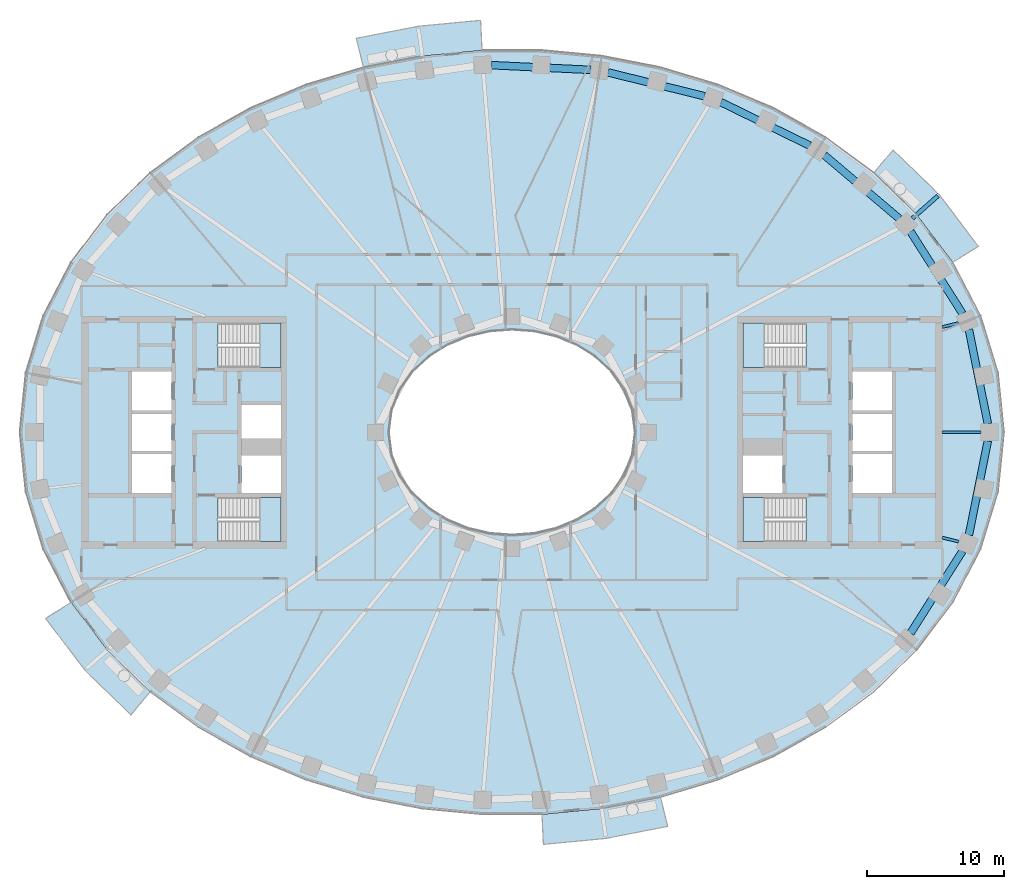
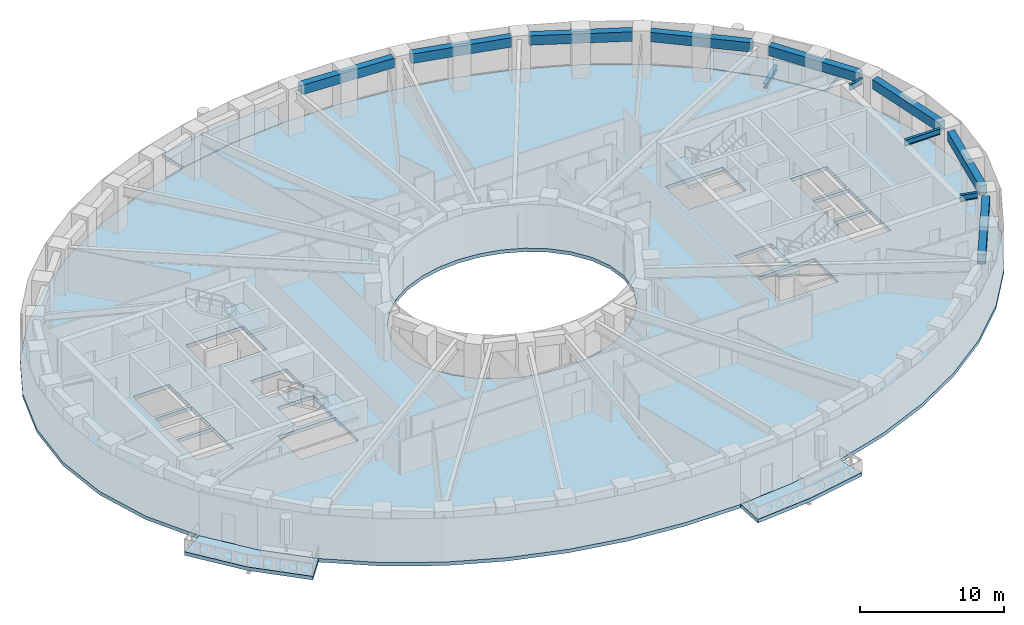
# One storey, part 2 of 16: 12 beams, 9 slabs, 4 elements without a shape of their own.
"""IFC4 building model written with IfcOpenShell, lengths in metres."""

from ifc_helpers import new_model, si_unit, direction, frame, origin, origin_2d, place, context, subcontext, project, spatial, polyline, rectangle, i_section, outline, extrude, material, layer, layer_set, material_profile, profile_set, type_object, element, aggregate, save


model = new_model("IFC4")

# Units and contexts
model_context = context("Model", 3, precision=1e-05, world=origin(), true_north=direction((0.0, 1.0)))
body_context = subcontext(model_context, "Body", "Model", "MODEL_VIEW")
ifc_project = project(units=[si_unit("LENGTHUNIT", "METRE"), si_unit("AREAUNIT", "SQUARE_METRE"), si_unit("VOLUMEUNIT", "CUBIC_METRE"), si_unit("PLANEANGLEUNIT", "RADIAN"), si_unit("MASSUNIT", "GRAM", prefix="KILO")], contexts=[model_context])

# Site, building, storey
site_placement = place(None, origin())
site = spatial("IfcSite", under=ifc_project, at=site_placement, CompositionType="ELEMENT")
building_placement = place(site_placement, origin())
building = spatial("IfcBuilding", under=site, at=building_placement, Name="Noorbagh Ring Tower", CompositionType="ELEMENT")
storey_placement = place(building_placement, frame((0.0, 0.0, 108.0)))
storey = spatial("IfcBuildingStorey", under=building, at=storey_placement, Name="L24", CompositionType="ELEMENT", Elevation=108.0)

# Beams
ifc_material_1 = material(Name="Steel S355", Category="steel")
ifc_material_profile_1 = material_profile(ifc_material_1, i_section(OverallWidth=0.300048828125, OverallDepth=0.39990234375, WebThickness=0.013427734375, FlangeThickness=0.02392578125, FilletRadius=0.027099609375, at=origin_2d()), Name="HEB400")
ifc_profile_set_1 = profile_set([ifc_material_profile_1], Name="Steel S355")
beam_type_1 = type_object("IfcBeamType", Name="STR-BALCONY-BRACKET-HEB400", PredefinedType="BEAM", material=ifc_profile_set_1)
beam_1_placement = place(storey_placement, frame((29.290771484375, 15.64794921875, -0.5), z_axis=(0.749058582827, 0.662503765645, 0.0), x_axis=(-0.662503765645, 0.749058582827, 0.0)))
element("IfcBeam", 1, at=beam_1_placement, inside=storey, type_object=beam_type_1, Name="Balcony bracket beam BN01", PredefinedType="BEAM", context=body_context, shape_type="SweptSolid", body=[
    extrude(i_section(OverallWidth=0.300048828125, OverallDepth=0.39990234375, WebThickness=0.013427734375, FlangeThickness=0.02392578125, FilletRadius=0.027099609375, at=origin_2d()), origin(), (0.0, 0.0, 1.0), 2.479248046875),
])
ifc_material_2 = material(Name="Steel S355", Category="steel")
ifc_material_profile_2 = material_profile(ifc_material_2, i_section(OverallWidth=0.199951171875, OverallDepth=0.5, WebThickness=0.01025390625, FlangeThickness=0.01611328125, FilletRadius=0.02099609375, at=origin_2d()), Name="IPE500")
ifc_profile_set_2 = profile_set([ifc_material_profile_2], Name="Steel S355")
beam_type_2 = type_object("IfcBeamType", Name="STR-RAD-IPE500", PredefinedType="BEAM", material=ifc_profile_set_2)
beam_2_placement = place(storey_placement, frame((34.314697265625, 0.0, 3.449951171875), z_axis=(-1.0, 0.0, 0.0), x_axis=(0.0, -1.0, 0.0)))
element("IfcBeam", 2, at=beam_2_placement, inside=storey, type_object=beam_type_2, Name="L24/bm/RD01", PredefinedType="BEAM", context=body_context, shape_type="SweptSolid", body=[
    extrude(i_section(OverallWidth=0.199951171875, OverallDepth=0.5, WebThickness=0.01025390625, FlangeThickness=0.01611328125, FilletRadius=0.02099609375, at=origin_2d()), origin(), (0.0, 0.0, 1.0), 2.834716796875),
])
for number, where, z_axis, x_axis, name in (
    (3, (32.686279296875, 7.997802734375, 3.449951171875), (-0.971367746696, -0.237580935009, 0.0), (0.237580935009, -0.971367746696, 0.0), "L24/bm/RD03"),
    (4, (32.686279296875, -7.997802734375, 3.449951171875), (-0.971367746696, 0.237580935009, 0.0), (-0.237580935009, -0.971367746696, 0.0), "L24/bm/RD45"),
):
    element("IfcBeam", number, at=place(storey_placement, frame(where, z_axis=z_axis, x_axis=x_axis)), inside=storey, type_object=beam_type_2, Name=name, PredefinedType="BEAM", context=body_context, shape_type="SweptSolid", body=[
        extrude(i_section(OverallWidth=0.199951171875, OverallDepth=0.5, WebThickness=0.01025390625, FlangeThickness=0.01611328125, FilletRadius=0.02099609375, at=origin_2d()), origin(), (0.0, 0.0, 1.0), 1.241455078125),
    ])
ifc_material_3 = material(Name="Concrete C40/50", Category="concrete")
ifc_material_profile_3 = material_profile(ifc_material_3, rectangle(XDim=0.550048828125, YDim=0.800048828125, at=origin_2d()), Name="RC550x800")
ifc_profile_set_3 = profile_set([ifc_material_profile_3], Name="Concrete C40/50")
beam_type_3 = type_object("IfcBeamType", Name="STR-SB-RC550x800-C40-50", PredefinedType="BEAM", material=ifc_profile_set_3)
beam_3_placement = place(storey_placement, frame((34.81787109375, 0.63037109375, 3.300048828125), z_axis=(-0.197218334535, 0.980359591437, 0.0), x_axis=(-0.980359591437, -0.197218334535, 0.0)))
element("IfcBeam", 5, at=beam_3_placement, inside=storey, type_object=beam_type_3, Name="L24/bm/SP01", PredefinedType="BEAM", context=body_context, shape_type="SweptSolid", body=[
    extrude(rectangle(XDim=0.550048828125, YDim=0.800048828125, at=origin_2d()), origin(), (0.0, 0.0, 1.0), 7.027587890625),
])
beam_4_placement = place(storey_placement, frame((32.962646484375, 8.690185546875, 3.300048828125), z_axis=(-0.535215588854, 0.844715498525, 0.0), x_axis=(-0.844715498525, -0.535215588854, 0.0)))
element("IfcBeam", 6, at=beam_4_placement, inside=storey, type_object=beam_type_3, Name="L24/bm/SP03", PredefinedType="BEAM", context=body_context, shape_type="SweptSolid", body=[
    extrude(rectangle(XDim=0.550048828125, YDim=0.800048828125, at=origin_2d()), origin(), (0.0, 0.0, 1.0), 7.104248046875),
])
beam_5_placement = place(storey_placement, frame((28.3330078125, 15.64208984375, 3.300048828125), z_axis=(-0.76303325952, 0.646359222775, 0.0), x_axis=(-0.646359222775, -0.76303325952, 0.0)))
element("IfcBeam", 7, at=beam_5_placement, inside=storey, type_object=beam_type_3, Name="L24/bm/SP05", PredefinedType="BEAM", context=body_context, shape_type="SweptSolid", body=[
    extrude(rectangle(XDim=0.550048828125, YDim=0.800048828125, at=origin_2d()), origin(), (0.0, 0.0, 1.0), 7.18994140625),
])
beam_6_placement = place(storey_placement, frame((21.7919921875, 20.978759765625, 3.300048828125), z_axis=(-0.898412117145, 0.43915335336, 0.0), x_axis=(-0.43915335336, -0.898412117145, 0.0)))
element("IfcBeam", 8, at=beam_6_placement, inside=storey, type_object=beam_type_3, Name="L24/bm/SP07", PredefinedType="BEAM", context=body_context, shape_type="SweptSolid", body=[
    extrude(rectangle(XDim=0.550048828125, YDim=0.800048828125, at=origin_2d()), origin(), (0.0, 0.0, 1.0), 7.249267578125),
])
beam_7_placement = place(storey_placement, frame((14.094482421875, 24.5927734375, 3.300048828125), z_axis=(-0.970826778955, 0.239781911877, 0.0), x_axis=(-0.239781911877, -0.970826778955, 0.0)))
element("IfcBeam", 9, at=beam_7_placement, inside=storey, type_object=beam_type_3, Name="L24/bm/SP09", PredefinedType="BEAM", context=body_context, shape_type="SweptSolid", body=[
    extrude(rectangle(XDim=0.550048828125, YDim=0.800048828125, at=origin_2d()), origin(), (0.0, 0.0, 1.0), 7.282958984375),
])
beam_8_placement = place(storey_placement, frame((5.77685546875, 26.52099609375, 3.300048828125), z_axis=(-0.998868894653, 0.047549251258, 0.0), x_axis=(-0.047549251258, -0.998868894653, 0.0)))
element("IfcBeam", 10, at=beam_8_placement, inside=storey, type_object=beam_type_3, Name="L24/bm/SP11", PredefinedType="BEAM", context=body_context, shape_type="SweptSolid", body=[
    extrude(rectangle(XDim=0.550048828125, YDim=0.800048828125, at=origin_2d()), origin(), (0.0, 0.0, 1.0), 7.296142578125),
])
beam_9_placement = place(storey_placement, frame((29.160400390625, -14.691162109375, 3.300048828125), z_axis=(0.535215588854, 0.844715498525, 0.0), x_axis=(-0.844715498525, 0.535215588854, 0.0)))
element("IfcBeam", 11, at=beam_9_placement, inside=storey, type_object=beam_type_3, Name="L24/bm/SP43", PredefinedType="BEAM", context=body_context, shape_type="SweptSolid", body=[
    extrude(rectangle(XDim=0.550048828125, YDim=0.800048828125, at=origin_2d()), origin(), (0.0, 0.0, 1.0), 7.104248046875),
])
beam_10_placement = place(storey_placement, frame((33.431884765625, -7.52001953125, 3.300048828125), z_axis=(0.197218334535, 0.980359591437, 0.0), x_axis=(-0.980359591437, 0.197218334535, 0.0)))
element("IfcBeam", 12, at=beam_10_placement, inside=storey, type_object=beam_type_3, Name="L24/bm/SP45", PredefinedType="BEAM", context=body_context, shape_type="SweptSolid", body=[
    extrude(rectangle(XDim=0.550048828125, YDim=0.800048828125, at=origin_2d()), origin(), (0.0, 0.0, 1.0), 7.027587890625),
])

# Stair, slab
ifc_material_4 = material(Name="Concrete C40/50", Category="concrete")
stair_type = type_object("IfcStairType", Name="CORE-STAIR", PredefinedType="HALF_TURN_STAIR", material=ifc_material_4)
stair_1_placement = place(storey_placement, origin())
stair_1 = element("IfcStair", 13, at=stair_1_placement, inside=storey, type_object=stair_type, Name="L24 Exit stair ST1", PredefinedType="HALF_TURN_STAIR")
ifc_material_5 = material(Name="Concrete C40/50", Category="concrete")
ifc_layer_1 = layer(ifc_material_5, 0.300048828125)
ifc_layer_set_1 = layer_set([ifc_layer_1], Name="Concrete C40/50")
slab_type_1 = type_object("IfcSlabType", Name="CORE-STAIR-LANDING", PredefinedType="LANDING", material=ifc_layer_set_1)
slab_1_placement = place(storey_placement, frame((0.0, 0.0, 1.699951171875)))
slab_1 = element("IfcSlab", 14, at=slab_1_placement, type_object=slab_type_1, Name="ST1 landing 1", PredefinedType="LANDING", context=body_context, shape_type="SweptSolid", body=[
    extrude(outline(polyline([(-18.449951171875, 4.75), (-16.89990234375, 4.75), (-16.89990234375, 8.0), (-18.449951171875, 8.0), (-18.449951171875, 4.75)])), origin(), (0.0, 0.0, 1.0), 0.300048828125),
])
aggregate(stair_1, [slab_1])

stair_2_placement = place(storey_placement, origin())
stair_2 = element("IfcStair", 15, at=stair_2_placement, inside=storey, type_object=stair_type, Name="L24 Exit stair ST2", PredefinedType="HALF_TURN_STAIR")
slab_2_placement = place(storey_placement, frame((0.0, 0.0, 1.699951171875)))
slab_2 = element("IfcSlab", 16, at=slab_2_placement, type_object=slab_type_1, Name="ST2 landing 1", PredefinedType="LANDING", context=body_context, shape_type="SweptSolid", body=[
    extrude(outline(polyline([(-18.449951171875, -8.0), (-16.89990234375, -8.0), (-16.89990234375, -4.75), (-18.449951171875, -4.75), (-18.449951171875, -8.0)])), origin(), (0.0, 0.0, 1.0), 0.300048828125),
])
aggregate(stair_2, [slab_2])

stair_3_placement = place(storey_placement, origin())
stair_3 = element("IfcStair", 17, at=stair_3_placement, inside=storey, type_object=stair_type, Name="L24 Exit stair ST3", PredefinedType="HALF_TURN_STAIR")
slab_3_placement = place(storey_placement, frame((0.0, 0.0, 1.699951171875)))
slab_3 = element("IfcSlab", 18, at=slab_3_placement, type_object=slab_type_1, Name="ST3 landing 1", PredefinedType="LANDING", context=body_context, shape_type="SweptSolid", body=[
    extrude(outline(polyline([(18.449951171875, 8.0), (16.89990234375, 8.0), (16.89990234375, 4.75), (18.449951171875, 4.75), (18.449951171875, 8.0)])), origin(), (0.0, 0.0, 1.0), 0.300048828125),
])
aggregate(stair_3, [slab_3])

stair_4_placement = place(storey_placement, origin())
stair_4 = element("IfcStair", 19, at=stair_4_placement, inside=storey, type_object=stair_type, Name="L24 Exit stair ST4", PredefinedType="HALF_TURN_STAIR")
slab_4_placement = place(storey_placement, frame((0.0, 0.0, 1.699951171875)))
slab_4 = element("IfcSlab", 20, at=slab_4_placement, type_object=slab_type_1, Name="ST4 landing 1", PredefinedType="LANDING", context=body_context, shape_type="SweptSolid", body=[
    extrude(outline(polyline([(18.449951171875, -4.75), (16.89990234375, -4.75), (16.89990234375, -8.0), (18.449951171875, -8.0), (18.449951171875, -4.75)])), origin(), (0.0, 0.0, 1.0), 0.300048828125),
])
aggregate(stair_4, [slab_4])

# Slabs
ifc_material_6 = material(Name="Concrete C40/50", Category="concrete")
ifc_layer_2 = layer(ifc_material_6, 0.300048828125)
ifc_layer_set_2 = layer_set([ifc_layer_2], Name="Concrete C40/50")
slab_type_2 = type_object("IfcSlabType", Name="ENV-BALCONY DECK 300", PredefinedType="FLOOR", material=ifc_layer_set_2)
slab_5_placement = place(storey_placement, frame((0.0, 0.0, -0.300048828125)))
element("IfcSlab", 21, at=slab_5_placement, inside=storey, type_object=slab_type_2, Name="Tree balcony deck BN01", PredefinedType="FLOOR", context=body_context, shape_type="SweptSolid", body=[
    extrude(outline(polyline([(34.120361328125, 13.615966796875), (31.26025390625, 17.389892578125), (27.888671875, 20.665771484375), (26.463134765625, 18.983154296875), (29.607666015625, 15.92822265625), (32.255126953125, 12.434814453125), (34.120361328125, 13.615966796875)])), origin(), (0.0, 0.0, 1.0), 0.300048828125),
])
slab_6_placement = place(storey_placement, frame((0.0, 0.0, -0.300048828125)))
element("IfcSlab", 22, at=slab_6_placement, inside=storey, type_object=slab_type_2, Name="Tree balcony deck BN04", PredefinedType="FLOOR", context=body_context, shape_type="SweptSolid", body=[
    extrude(outline(polyline([(-2.2978515625, 30.14794921875), (-6.874755859375, 29.711181640625), (-11.3935546875, 28.832763671875), (-10.865234375, 26.6943359375), (-6.5595703125, 27.53125), (-2.193115234375, 27.947998046875), (-2.2978515625, 30.14794921875)])), origin(), (0.0, 0.0, 1.0), 0.300048828125),
])
slab_7_placement = place(storey_placement, frame((0.0, 0.0, -0.300048828125)))
element("IfcSlab", 23, at=slab_7_placement, inside=storey, type_object=slab_type_2, Name="Tree balcony deck BS01", PredefinedType="FLOOR", context=body_context, shape_type="SweptSolid", body=[
    extrude(outline(polyline([(-34.120361328125, -13.615966796875), (-31.26025390625, -17.389892578125), (-27.888671875, -20.665771484375), (-26.463134765625, -18.983154296875), (-29.607666015625, -15.92822265625), (-32.255126953125, -12.434814453125), (-34.120361328125, -13.615966796875)])), origin(), (0.0, 0.0, 1.0), 0.300048828125),
])
slab_8_placement = place(storey_placement, frame((0.0, 0.0, -0.300048828125)))
element("IfcSlab", 24, at=slab_8_placement, inside=storey, type_object=slab_type_2, Name="Tree balcony deck BS04", PredefinedType="FLOOR", context=body_context, shape_type="SweptSolid", body=[
    extrude(outline(polyline([(2.2978515625, -30.14794921875), (6.874755859375, -29.711181640625), (11.3935546875, -28.832763671875), (10.865234375, -26.6943359375), (6.5595703125, -27.53125), (2.193115234375, -27.947998046875), (2.2978515625, -30.14794921875)])), origin(), (0.0, 0.0, 1.0), 0.300048828125),
])
ifc_material_7 = material(Name="Concrete C40/50", Category="concrete")
ifc_layer_3 = layer(ifc_material_7, 0.300048828125)
ifc_layer_set_3 = layer_set([ifc_layer_3], Name="Concrete C40/50")
slab_type_3 = type_object("IfcSlabType", Name="STR-FLOOR-DECK-300", PredefinedType="FLOOR", material=ifc_layer_set_3)
slab_9_placement = place(storey_placement, frame((0.0, 0.0, -0.300048828125)))
element("IfcSlab", 25, at=slab_9_placement, inside=storey, type_object=slab_type_3, Name="L24/slab/1", PredefinedType="FLOOR", context=body_context, shape_type="SweptSolid", body=[
    extrude(outline(polyline([(36.0, 0.0), (35.56103515625, 4.358642578125), (34.281005859375, 8.548828125), (32.255126953125, 12.434814453125), (29.607666015625, 15.92822265625), (26.463134765625, 18.983154296875), (22.9326171875, 21.583740234375), (19.108154296875, 23.730224609375), (15.0654296875, 25.430419921875), (10.865234375, 26.6943359375), (6.5595703125, 27.53125), (2.193115234375, 27.947998046875), (-2.193115234375, 27.947998046875), (-6.5595703125, 27.53125), (-10.865234375, 26.6943359375), (-15.0654296875, 25.430419921875), (-19.108154296875, 23.730224609375), (-22.9326171875, 21.583740234375), (-26.463134765625, 18.983154296875), (-29.607666015625, 15.92822265625), (-32.255126953125, 12.434814453125), (-34.281005859375, 8.548828125), (-35.56103515625, 4.358642578125), (-36.0, 0.0), (-35.56103515625, -4.358642578125), (-34.281005859375, -8.548828125), (-32.255126953125, -12.434814453125), (-29.607666015625, -15.92822265625), (-26.463134765625, -18.983154296875), (-22.9326171875, -21.583740234375), (-19.108154296875, -23.730224609375), (-15.0654296875, -25.430419921875), (-10.865234375, -26.6943359375), (-6.5595703125, -27.53125), (-2.193115234375, -27.947998046875), (2.193115234375, -27.947998046875), (6.5595703125, -27.53125), (10.865234375, -26.6943359375), (15.0654296875, -25.430419921875), (19.108154296875, -23.730224609375), (22.9326171875, -21.583740234375), (26.463134765625, -18.983154296875), (29.607666015625, -15.92822265625), (32.255126953125, -12.434814453125), (34.281005859375, -8.548828125), (35.56103515625, -4.358642578125), (36.0, 0.0)]), holes=[polyline([(24.89990234375, -1.60009765625), (27.800048828125, -1.60009765625), (27.800048828125, -4.449951171875), (24.89990234375, -4.449951171875), (24.89990234375, -1.60009765625)]), polyline([(24.89990234375, 1.35009765625), (27.800048828125, 1.35009765625), (27.800048828125, -1.35009765625), (24.89990234375, -1.35009765625), (24.89990234375, 1.35009765625)]), polyline([(24.89990234375, 4.449951171875), (27.800048828125, 4.449951171875), (27.800048828125, 1.60009765625), (24.89990234375, 1.60009765625), (24.89990234375, 4.449951171875)]), polyline([(21.529541015625, -4.75), (21.529541015625, -8.0), (16.89990234375, -8.0), (16.89990234375, -4.75), (21.529541015625, -4.75)]), polyline([(21.529541015625, 4.75), (16.89990234375, 4.75), (16.89990234375, 8.0), (21.529541015625, 8.0), (21.529541015625, 4.75)]), polyline([(16.89990234375, -1.699951171875), (19.800048828125, -1.699951171875), (19.800048828125, -4.449951171875), (16.89990234375, -4.449951171875), (16.89990234375, -1.699951171875)]), polyline([(4.697509765625, -6.3974609375), (3.196533203125, -7.010986328125), (1.6171875, -7.3779296875), (0.0, -7.5), (-1.6171875, -7.3779296875), (-3.196533203125, -7.010986328125), (-4.697509765625, -6.3974609375), (-6.071044921875, -5.53662109375), (-7.2587890625, -4.43408203125), (-8.1904296875, -3.10888671875), (-8.79150390625, -1.605224609375), (-9.0, 0.0), (-8.79150390625, 1.605224609375), (-8.1904296875, 3.10888671875), (-7.2587890625, 4.43408203125), (-6.071044921875, 5.53662109375), (-4.697509765625, 6.3974609375), (-3.196533203125, 7.010986328125), (-1.6171875, 7.3779296875), (0.0, 7.5), (1.6171875, 7.3779296875), (3.196533203125, 7.010986328125), (4.697509765625, 6.3974609375), (6.071044921875, 5.53662109375), (7.2587890625, 4.43408203125), (8.1904296875, 3.10888671875), (8.79150390625, 1.605224609375), (9.0, 0.0), (8.79150390625, -1.605224609375), (8.1904296875, -3.10888671875), (7.2587890625, -4.43408203125), (6.071044921875, -5.53662109375), (4.697509765625, -6.3974609375)]), polyline([(-21.529541015625, -8.0), (-21.529541015625, -4.75), (-16.89990234375, -4.75), (-16.89990234375, -8.0), (-21.529541015625, -8.0)]), polyline([(-21.529541015625, 8.0), (-16.89990234375, 8.0), (-16.89990234375, 4.75), (-21.529541015625, 4.75), (-21.529541015625, 8.0)]), polyline([(-16.89990234375, -4.449951171875), (-19.800048828125, -4.449951171875), (-19.800048828125, -1.699951171875), (-16.89990234375, -1.699951171875), (-16.89990234375, -4.449951171875)]), polyline([(-16.89990234375, -0.449951171875), (-19.800048828125, -0.449951171875), (-19.800048828125, 2.0), (-16.89990234375, 2.0), (-16.89990234375, -0.449951171875)]), polyline([(-24.89990234375, -4.449951171875), (-27.800048828125, -4.449951171875), (-27.800048828125, -1.60009765625), (-24.89990234375, -1.60009765625), (-24.89990234375, -4.449951171875)]), polyline([(-24.89990234375, -1.35009765625), (-27.800048828125, -1.35009765625), (-27.800048828125, 1.35009765625), (-24.89990234375, 1.35009765625), (-24.89990234375, -1.35009765625)]), polyline([(-24.89990234375, 1.60009765625), (-27.800048828125, 1.60009765625), (-27.800048828125, 4.449951171875), (-24.89990234375, 4.449951171875), (-24.89990234375, 1.60009765625)])]), origin(), (0.0, 0.0, 1.0), 0.300048828125),
])

save(model, "model.ifc")
